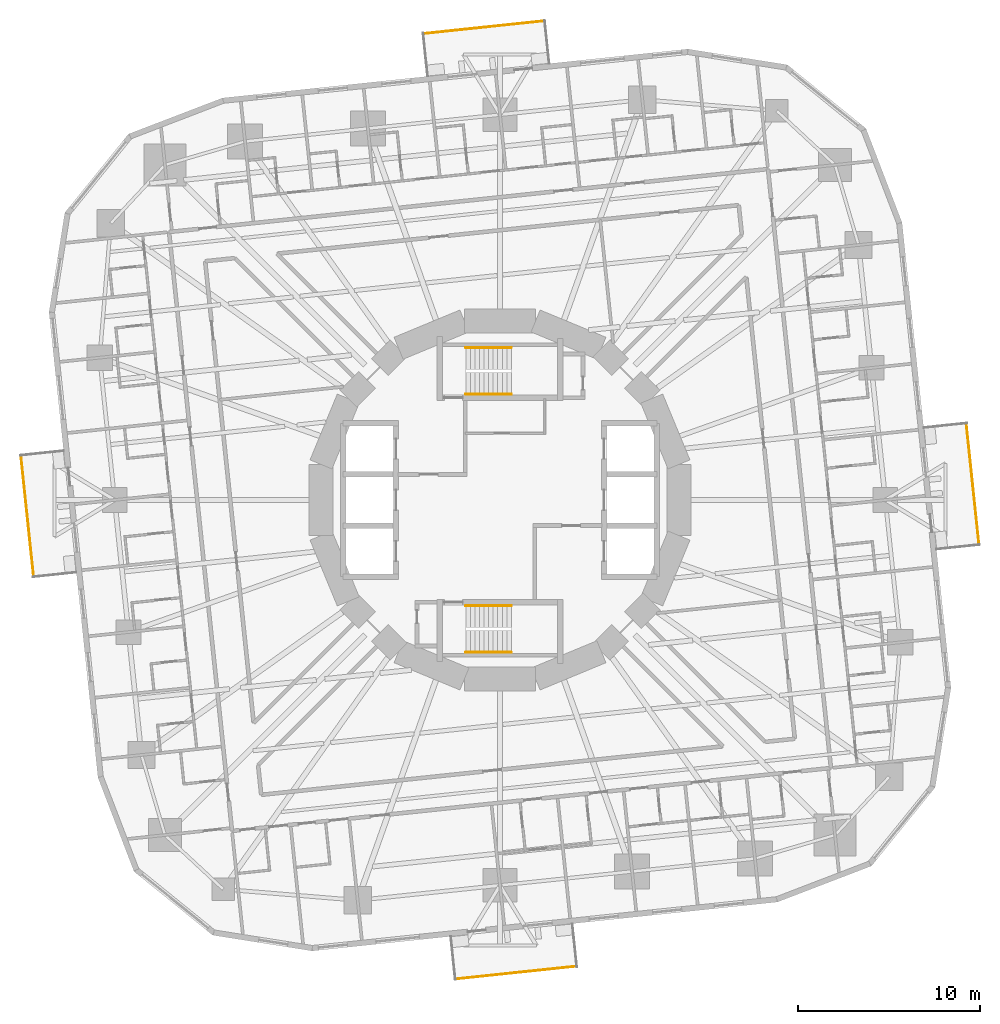
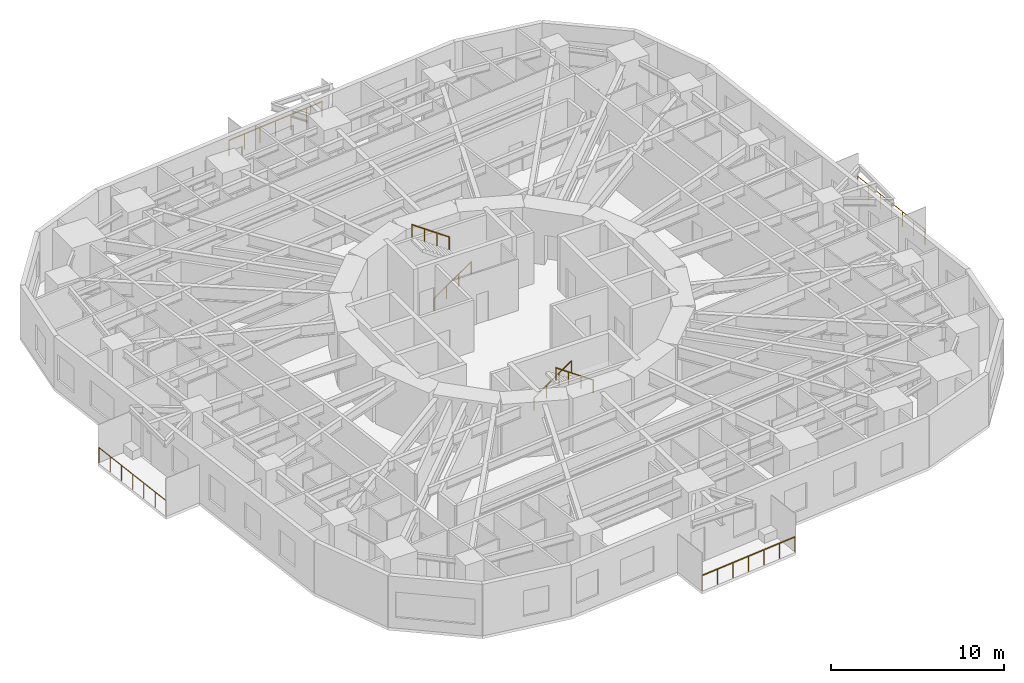
# One storey, part 14 of 15: 8 railings.
"""IFC4 building model written with IfcOpenShell, lengths in metres."""

import ifcopenshell
import ifcopenshell.guid

model = None  # the IFC model being written
_history = None  # IfcOwnerHistory: only IFC2X3 demands one
_inside = {}  # id of a spatial element -> (the spatial element, [elements in it])
_under = {}  # id of a project, library or spatial element -> (it, [spatial elements below it])
_declared = {}  # id of a project -> (the project, [libraries it declares])
_typed = {}  # id of a type object -> (the type object, [elements of that type])
_made_of = {}  # id of a material, layer set ... -> (it, [elements and type objects made of it])


def new_model(schema):
    """Start an empty IFC model of exactly this schema.

    Asked for "IFC4X3", IfcOpenShell would pick the latest addendum, in which some entities
    have other attributes; the version numbers below select the first issue.
    IFC2X3 requires an IfcOwnerHistory on every rooted entity: one is made here for all.
    """
    global model, _history
    if schema == "IFC4X3":
        model = ifcopenshell.file(schema_version=(4, 3, 0, 0))
    else:
        model = ifcopenshell.file(schema=schema)
    _inside.clear()
    _under.clear()
    _declared.clear()
    _typed.clear()
    _made_of.clear()
    _history = None
    if model.schema == "IFC2X3":
        org = make("IfcOrganization", Name="unknown")
        user = make(
            "IfcPersonAndOrganization",
            ThePerson=make("IfcPerson", FamilyName="unknown"),
            TheOrganization=org,
        )
        app = make(
            "IfcApplication",
            ApplicationDeveloper=org,
            Version="unknown",
            ApplicationFullName="unknown",
            ApplicationIdentifier="unknown",
        )
        _history = make(
            "IfcOwnerHistory",
            OwningUser=user,
            OwningApplication=app,
            ChangeAction="ADDED",
            CreationDate=0,
        )
    return model


def make(cls, **values):
    """One entity of the class cls with the attributes given. An attribute that is None is left unset."""
    return model.create_entity(
        cls, **{name: value for name, value in values.items() if value is not None}
    )


def rooted(cls, **values):
    """An entity with a GlobalId (a new one), such as an element, a storey or a relation."""
    return make(cls, GlobalId=ifcopenshell.guid.new(), OwnerHistory=_history, **values)


def si_unit(unit_type, name, prefix=None):
    """IfcSIUnit, for example si_unit("LENGTHUNIT", "METRE", prefix="MILLI")."""
    return make("IfcSIUnit", UnitType=unit_type, Prefix=prefix, Name=name)


def assignment(units):
    """IfcUnitAssignment: the units of a project."""
    return None if units is None else make("IfcUnitAssignment", Units=units)


def point(xyz):
    """IfcCartesianPoint."""
    return None if xyz is None else make("IfcCartesianPoint", Coordinates=xyz)


def direction(xyz):
    """IfcDirection."""
    return None if xyz is None else make("IfcDirection", DirectionRatios=xyz)


def frame(location, z_axis=None, x_axis=None):
    """IfcAxis2Placement3D, a coordinate frame: its origin and axes. An axis left out is left unset."""
    return make(
        "IfcAxis2Placement3D",
        Location=point(location),
        Axis=direction(z_axis),
        RefDirection=direction(x_axis),
    )


def frame_2d(location, x_axis=None):
    """IfcAxis2Placement2D, a coordinate frame in the plane: its origin and x axis."""
    return make(
        "IfcAxis2Placement2D", Location=point(location), RefDirection=direction(x_axis)
    )


def origin():
    """The frame at (0, 0, 0) with its axes left unset."""
    return frame((0.0, 0.0, 0.0))


def origin_2d():
    """The frame at (0, 0) in the plane with its x axis left unset."""
    return frame_2d((0.0, 0.0))


def place(relative_to, where):
    """IfcLocalPlacement: puts the frame where relative to a parent placement (None: the world)."""
    return make(
        "IfcLocalPlacement", PlacementRelTo=relative_to, RelativePlacement=where
    )


def context(
    kind, dimensions, precision=None, world=None, true_north=None, identifier=None
):
    """IfcGeometricRepresentationContext, for example the 3D "Model" context."""
    return make(
        "IfcGeometricRepresentationContext",
        ContextIdentifier=identifier,
        ContextType=kind,
        CoordinateSpaceDimension=dimensions,
        Precision=precision,
        WorldCoordinateSystem=world,
        TrueNorth=true_north,
    )


def subcontext(parent, identifier, kind, view, scale=None):
    """IfcGeometricRepresentationSubContext, for example "Body" below "Model"."""
    return make(
        "IfcGeometricRepresentationSubContext",
        ContextIdentifier=identifier,
        ContextType=kind,
        ParentContext=parent,
        TargetScale=scale,
        TargetView=view,
    )


def project(units=None, contexts=None):
    """IfcProject with its units and contexts."""
    return rooted(
        "IfcProject",
        Name="project",
        RepresentationContexts=contexts,
        UnitsInContext=assignment(units),
    )


def spatial(cls, under=None, at=None, **own):
    """A site, building, storey or space (cls), placed at a placement, below another one or the project."""
    s = rooted(cls, ObjectPlacement=at, **own)
    if under is not None:
        _under.setdefault(under.id(), (under, []))[1].append(s)
    return s


def profile(cls, at=None, kind="AREA", **sizes):
    """A parametric profile (cls). Its sizes go by their IFC names, for example OverallWidth=200.0."""
    return make(cls, ProfileType=kind, Position=at, **sizes)


def circle(**sizes):
    """IfcCircleProfileDef."""
    return profile("IfcCircleProfileDef", **sizes)


def extrude(swept, where, along, depth):
    """IfcExtrudedAreaSolid: the profile swept, set in the frame where, extruded along a direction by depth."""
    return make(
        "IfcExtrudedAreaSolid",
        SweptArea=swept,
        Position=where,
        ExtrudedDirection=direction(along),
        Depth=depth,
    )


def shape(context_of_items, identifier, shape_type, items):
    """IfcShapeRepresentation: the items that make up one representation, for example the "Body"."""
    return make(
        "IfcShapeRepresentation",
        ContextOfItems=context_of_items,
        RepresentationIdentifier=identifier,
        RepresentationType=shape_type,
        Items=items,
    )


def material(Name=None, Category=None):
    """IfcMaterial."""
    return make("IfcMaterial", Name=Name, Category=Category)


def made_of(thing, what):
    """Note that an element or type object is made of a material, layer set ...; save() writes the relation."""
    if what is not None:
        _made_of.setdefault(what.id(), (what, []))[1].append(thing)
    return thing


def type_object(cls, material=None, **own):
    """A type object (cls), such as IfcWallType, which elements share."""
    return made_of(rooted(cls, **own), material)


def element(
    cls,
    number,
    at=None,
    inside=None,
    cuts=None,
    type_object=None,
    material=None,
    context=None,
    identifier="Body",
    shape_type=None,
    held_by="IfcProductDefinitionShape",
    body=None,
    shapes=None,
    **own,
):
    """One element of the class cls, such as IfcWall. Its Tag is "e" and its number.

    at: its placement. inside: the storey or other place that contains it. cuts: it is an
    opening in that element (IfcRelVoidsElement). A single representation is given by context,
    identifier, shape_type and body (its items); several are given by shapes. held_by: the class
    of the entity that holds the representations. save() writes the other relations.
    """
    e = rooted(cls, Tag="e%d" % number, ObjectPlacement=at, **own)
    if body is not None:
        shapes = [shape(context, identifier, shape_type, body)]
    if shapes is not None:
        e.Representation = make(held_by, Representations=shapes)
    if inside is not None:
        _inside.setdefault(inside.id(), (inside, []))[1].append(e)
    if cuts is not None:
        rooted(
            "IfcRelVoidsElement", RelatingBuildingElement=cuts, RelatedOpeningElement=e
        )
    if type_object is not None:
        _typed.setdefault(type_object.id(), (type_object, []))[1].append(e)
    return made_of(e, material)


def aggregate(whole, parts):
    """IfcRelAggregates: a whole, such as a stair, and the parts it consists of."""
    return rooted("IfcRelAggregates", RelatingObject=whole, RelatedObjects=parts)


def save(model, path):
    """Write the relations noted so far, then the file.

    IfcRelAggregates (storeys below a building ...), IfcRelContainedInSpatialStructure (elements
    in a storey), IfcRelDefinesByType, IfcRelAssociatesMaterial and IfcRelDeclares: one each for
    every whole, place, type object, material and project.
    """
    for whole, parts in _under.values():
        aggregate(whole, parts)
    for where, things in _inside.values():
        rooted(
            "IfcRelContainedInSpatialStructure",
            RelatedElements=things,
            RelatingStructure=where,
        )
    for kind, things in _typed.values():
        rooted("IfcRelDefinesByType", RelatedObjects=things, RelatingType=kind)
    for what, things in _made_of.values():
        rooted("IfcRelAssociatesMaterial", RelatedObjects=things, RelatingMaterial=what)
    for by, libraries in _declared.values():
        rooted("IfcRelDeclares", RelatingContext=by, RelatedDefinitions=libraries)
    model.write(path)


model = new_model("IFC4")

# Units and contexts
model_context = context("Model", 3, precision=1e-05, world=origin(), true_north=direction((0.0, 1.0)))
body_context = subcontext(model_context, "Body", "Model", "MODEL_VIEW")
ifc_project = project(units=[si_unit("LENGTHUNIT", "METRE"), si_unit("AREAUNIT", "SQUARE_METRE"), si_unit("VOLUMEUNIT", "CUBIC_METRE"), si_unit("PLANEANGLEUNIT", "RADIAN"), si_unit("MASSUNIT", "GRAM", prefix="KILO")], contexts=[model_context])

# Site, building, storey
site_placement = place(None, origin())
site = spatial("IfcSite", under=ifc_project, at=site_placement, CompositionType="ELEMENT")
building_placement = place(site_placement, origin())
building = spatial("IfcBuilding", under=site, at=building_placement, Name="Nakasero Lantern House", CompositionType="ELEMENT")
storey_placement = place(building_placement, frame((0.0, 0.0, 68.199951171875)))
storey = spatial("IfcBuildingStorey", under=building, at=storey_placement, Name="L16", CompositionType="ELEMENT", Elevation=68.199951171875)

# Railings
ifc_material_1 = material(Name="Aluminium 6063-T6", Category="aluminium")
railing_type_1 = type_object("IfcRailingType", Name="Balcony guard 1100", PredefinedType="BALUSTRADE", material=ifc_material_1)
railing_1_placement = place(storey_placement, frame((26.247802734375, -2.4296875, 0.0)))
element("IfcRailing", 1, at=railing_1_placement, inside=storey, type_object=railing_type_1, Name="Balcony guard L16 BAL0", PredefinedType="BALUSTRADE", context=body_context, shape_type="SweptSolid", body=[
    extrude(circle(Radius=0.02392578125, at=origin_2d()), frame((0.0, 0.0, 1.076171875), z_axis=(-0.104541525597, 0.994520522375, 0.0), x_axis=(-0.994520522375, -0.104541525597, 0.0)), (0.0, 0.0, 1.0), 6.6533203125),
    extrude(circle(Radius=0.02099609375, at=origin_2d()), origin(), (0.0, 0.0, 1.0), 1.052001953125),
    extrude(circle(Radius=0.02099609375, at=origin_2d()), frame((-0.115966796875, 1.102783203125, 0.0)), (0.0, 0.0, 1.0), 1.052001953125),
    extrude(circle(Radius=0.02099609375, at=origin_2d()), frame((-0.23193359375, 2.20556640625, 0.0)), (0.0, 0.0, 1.0), 1.052001953125),
    extrude(circle(Radius=0.02099609375, at=origin_2d()), frame((-0.34765625, 3.30859375, 0.0)), (0.0, 0.0, 1.0), 1.052001953125),
    extrude(circle(Radius=0.02099609375, at=origin_2d()), frame((-0.463623046875, 4.411376953125, 0.0)), (0.0, 0.0, 1.0), 1.052001953125),
    extrude(circle(Radius=0.02099609375, at=origin_2d()), frame((-0.57958984375, 5.51416015625, 0.0)), (0.0, 0.0, 1.0), 1.052001953125),
    extrude(circle(Radius=0.02099609375, at=origin_2d()), frame((-0.695556640625, 6.616943359375, 0.0)), (0.0, 0.0, 1.0), 1.052001953125),
])
railing_2_placement = place(storey_placement, frame((2.4296875, 26.247802734375, 0.0)))
element("IfcRailing", 2, at=railing_2_placement, inside=storey, type_object=railing_type_1, Name="Balcony guard L16 BAL1", PredefinedType="BALUSTRADE", context=body_context, shape_type="SweptSolid", body=[
    extrude(circle(Radius=0.02392578125, at=origin_2d()), frame((0.0, 0.0, 1.076171875), z_axis=(-0.994520522375, -0.104541525597, 0.0), x_axis=(0.104541525597, -0.994520522375, 0.0)), (0.0, 0.0, 1.0), 6.6533203125),
    extrude(circle(Radius=0.02099609375, at=origin_2d()), origin(), (0.0, 0.0, 1.0), 1.052001953125),
    extrude(circle(Radius=0.02099609375, at=origin_2d()), frame((-1.102783203125, -0.115966796875, 0.0)), (0.0, 0.0, 1.0), 1.052001953125),
    extrude(circle(Radius=0.02099609375, at=origin_2d()), frame((-2.20556640625, -0.23193359375, 0.0)), (0.0, 0.0, 1.0), 1.052001953125),
    extrude(circle(Radius=0.02099609375, at=origin_2d()), frame((-3.30859375, -0.34765625, 0.0)), (0.0, 0.0, 1.0), 1.052001953125),
    extrude(circle(Radius=0.02099609375, at=origin_2d()), frame((-4.411376953125, -0.463623046875, 0.0)), (0.0, 0.0, 1.0), 1.052001953125),
    extrude(circle(Radius=0.02099609375, at=origin_2d()), frame((-5.51416015625, -0.57958984375, 0.0)), (0.0, 0.0, 1.0), 1.052001953125),
    extrude(circle(Radius=0.02099609375, at=origin_2d()), frame((-6.616943359375, -0.695556640625, 0.0)), (0.0, 0.0, 1.0), 1.052001953125),
])
railing_3_placement = place(storey_placement, frame((-26.247802734375, 2.4296875, 0.0)))
element("IfcRailing", 3, at=railing_3_placement, inside=storey, type_object=railing_type_1, Name="Balcony guard L16 BAL2", PredefinedType="BALUSTRADE", context=body_context, shape_type="SweptSolid", body=[
    extrude(circle(Radius=0.02392578125, at=origin_2d()), frame((0.0, 0.0, 1.076171875), z_axis=(0.104541525597, -0.994520522375, 0.0), x_axis=(0.994520522375, 0.104541525597, 0.0)), (0.0, 0.0, 1.0), 6.6533203125),
    extrude(circle(Radius=0.02099609375, at=origin_2d()), origin(), (0.0, 0.0, 1.0), 1.052001953125),
    extrude(circle(Radius=0.02099609375, at=origin_2d()), frame((0.115966796875, -1.102783203125, 0.0)), (0.0, 0.0, 1.0), 1.052001953125),
    extrude(circle(Radius=0.02099609375, at=origin_2d()), frame((0.23193359375, -2.20556640625, 0.0)), (0.0, 0.0, 1.0), 1.052001953125),
    extrude(circle(Radius=0.02099609375, at=origin_2d()), frame((0.34765625, -3.30859375, 0.0)), (0.0, 0.0, 1.0), 1.052001953125),
    extrude(circle(Radius=0.02099609375, at=origin_2d()), frame((0.463623046875, -4.411376953125, 0.0)), (0.0, 0.0, 1.0), 1.052001953125),
    extrude(circle(Radius=0.02099609375, at=origin_2d()), frame((0.57958984375, -5.51416015625, 0.0)), (0.0, 0.0, 1.0), 1.052001953125),
    extrude(circle(Radius=0.02099609375, at=origin_2d()), frame((0.695556640625, -6.616943359375, 0.0)), (0.0, 0.0, 1.0), 1.052001953125),
])
railing_4_placement = place(storey_placement, frame((-2.4296875, -26.247802734375, 0.0)))
element("IfcRailing", 4, at=railing_4_placement, inside=storey, type_object=railing_type_1, Name="Balcony guard L16 BAL3", PredefinedType="BALUSTRADE", context=body_context, shape_type="SweptSolid", body=[
    extrude(circle(Radius=0.02392578125, at=origin_2d()), frame((0.0, 0.0, 1.076171875), z_axis=(0.994520522375, 0.104541525597, 0.0), x_axis=(-0.104541525597, 0.994520522375, 0.0)), (0.0, 0.0, 1.0), 6.6533203125),
    extrude(circle(Radius=0.02099609375, at=origin_2d()), origin(), (0.0, 0.0, 1.0), 1.052001953125),
    extrude(circle(Radius=0.02099609375, at=origin_2d()), frame((1.102783203125, 0.115966796875, 0.0)), (0.0, 0.0, 1.0), 1.052001953125),
    extrude(circle(Radius=0.02099609375, at=origin_2d()), frame((2.20556640625, 0.23193359375, 0.0)), (0.0, 0.0, 1.0), 1.052001953125),
    extrude(circle(Radius=0.02099609375, at=origin_2d()), frame((3.30859375, 0.34765625, 0.0)), (0.0, 0.0, 1.0), 1.052001953125),
    extrude(circle(Radius=0.02099609375, at=origin_2d()), frame((4.411376953125, 0.463623046875, 0.0)), (0.0, 0.0, 1.0), 1.052001953125),
    extrude(circle(Radius=0.02099609375, at=origin_2d()), frame((5.51416015625, 0.57958984375, 0.0)), (0.0, 0.0, 1.0), 1.052001953125),
    extrude(circle(Radius=0.02099609375, at=origin_2d()), frame((6.616943359375, 0.695556640625, 0.0)), (0.0, 0.0, 1.0), 1.052001953125),
])
ifc_material_2 = material(Name="Stainless steel 316", Category="steel")
railing_type_2 = type_object("IfcRailingType", Name="Stair handrail 900", PredefinedType="HANDRAIL", material=ifc_material_2)
railing_5_placement = place(storey_placement, frame((-1.875, 5.800048828125, 0.175048828125)))
element("IfcRailing", 5, at=railing_5_placement, inside=storey, type_object=railing_type_2, Name="Handrail ST1 L16 flight 1", PredefinedType="HANDRAIL", context=body_context, shape_type="SweptSolid", body=[
    extrude(circle(Radius=0.02392578125, at=origin_2d()), frame((0.0, 0.0, 0.8759765625), z_axis=(0.819231920519, 0.0, 0.573462344363), x_axis=(0.0, 1.0, 0.0)), (0.0, 0.0, 1.0), 3.0517578125),
    extrude(circle(Radius=0.02099609375, at=origin_2d()), origin(), (0.0, 0.0, 1.0), 0.851806640625),
    extrude(circle(Radius=0.02099609375, at=origin_2d()), frame((0.833251953125, 0.0, 0.583251953125)), (0.0, 0.0, 1.0), 0.851806640625),
    extrude(circle(Radius=0.02099609375, at=origin_2d()), frame((1.666748046875, 0.0, 1.166748046875)), (0.0, 0.0, 1.0), 0.851806640625),
    extrude(circle(Radius=0.02099609375, at=origin_2d()), frame((2.5, 0.0, 1.75)), (0.0, 0.0, 1.0), 0.851806640625),
])
railing_6_placement = place(storey_placement, frame((0.625, 8.35009765625, 2.10009765625)))
element("IfcRailing", 6, at=railing_6_placement, inside=storey, type_object=railing_type_2, Name="Handrail ST1 L16 flight 2", PredefinedType="HANDRAIL", context=body_context, shape_type="SweptSolid", body=[
    extrude(circle(Radius=0.02392578125, at=origin_2d()), frame((0.0, 0.0, 0.8759765625), z_axis=(-0.819231920519, 0.0, 0.573462344363), x_axis=(0.0, -1.0, 0.0)), (0.0, 0.0, 1.0), 3.0517578125),
    extrude(circle(Radius=0.02099609375, at=origin_2d()), origin(), (0.0, 0.0, 1.0), 0.851806640625),
    extrude(circle(Radius=0.02099609375, at=origin_2d()), frame((-0.833251953125, 0.0, 0.583251953125)), (0.0, 0.0, 1.0), 0.851806640625),
    extrude(circle(Radius=0.02099609375, at=origin_2d()), frame((-1.666748046875, 0.0, 1.166748046875)), (0.0, 0.0, 1.0), 0.851806640625),
    extrude(circle(Radius=0.02099609375, at=origin_2d()), frame((-2.5, 0.0, 1.75)), (0.0, 0.0, 1.0), 0.851806640625),
])
railing_7_placement = place(storey_placement, frame((-1.875, -5.800048828125, 0.175048828125)))
element("IfcRailing", 7, at=railing_7_placement, inside=storey, type_object=railing_type_2, Name="Handrail ST2 L16 flight 1", PredefinedType="HANDRAIL", context=body_context, shape_type="SweptSolid", body=[
    extrude(circle(Radius=0.02392578125, at=origin_2d()), frame((0.0, 0.0, 0.8759765625), z_axis=(0.819231920519, 0.0, 0.573462344363), x_axis=(0.0, 1.0, 0.0)), (0.0, 0.0, 1.0), 3.0517578125),
    extrude(circle(Radius=0.02099609375, at=origin_2d()), origin(), (0.0, 0.0, 1.0), 0.851806640625),
    extrude(circle(Radius=0.02099609375, at=origin_2d()), frame((0.833251953125, 0.0, 0.583251953125)), (0.0, 0.0, 1.0), 0.851806640625),
    extrude(circle(Radius=0.02099609375, at=origin_2d()), frame((1.666748046875, 0.0, 1.166748046875)), (0.0, 0.0, 1.0), 0.851806640625),
    extrude(circle(Radius=0.02099609375, at=origin_2d()), frame((2.5, 0.0, 1.75)), (0.0, 0.0, 1.0), 0.851806640625),
])
railing_8_placement = place(storey_placement, frame((0.625, -8.35009765625, 2.10009765625)))
element("IfcRailing", 8, at=railing_8_placement, inside=storey, type_object=railing_type_2, Name="Handrail ST2 L16 flight 2", PredefinedType="HANDRAIL", context=body_context, shape_type="SweptSolid", body=[
    extrude(circle(Radius=0.02392578125, at=origin_2d()), frame((0.0, 0.0, 0.8759765625), z_axis=(-0.819231920519, 0.0, 0.573462344363), x_axis=(0.0, -1.0, 0.0)), (0.0, 0.0, 1.0), 3.0517578125),
    extrude(circle(Radius=0.02099609375, at=origin_2d()), origin(), (0.0, 0.0, 1.0), 0.851806640625),
    extrude(circle(Radius=0.02099609375, at=origin_2d()), frame((-0.833251953125, 0.0, 0.583251953125)), (0.0, 0.0, 1.0), 0.851806640625),
    extrude(circle(Radius=0.02099609375, at=origin_2d()), frame((-1.666748046875, 0.0, 1.166748046875)), (0.0, 0.0, 1.0), 0.851806640625),
    extrude(circle(Radius=0.02099609375, at=origin_2d()), frame((-2.5, 0.0, 1.75)), (0.0, 0.0, 1.0), 0.851806640625),
])

save(model, "model.ifc")
